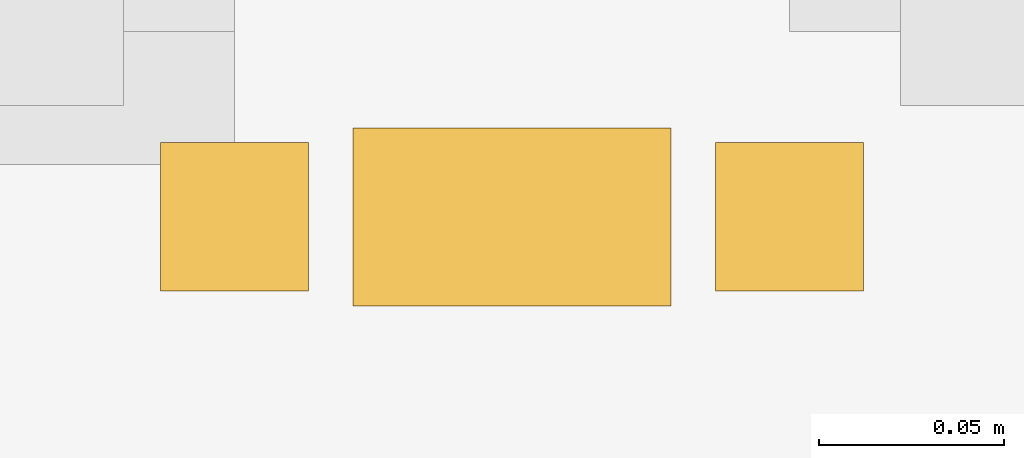
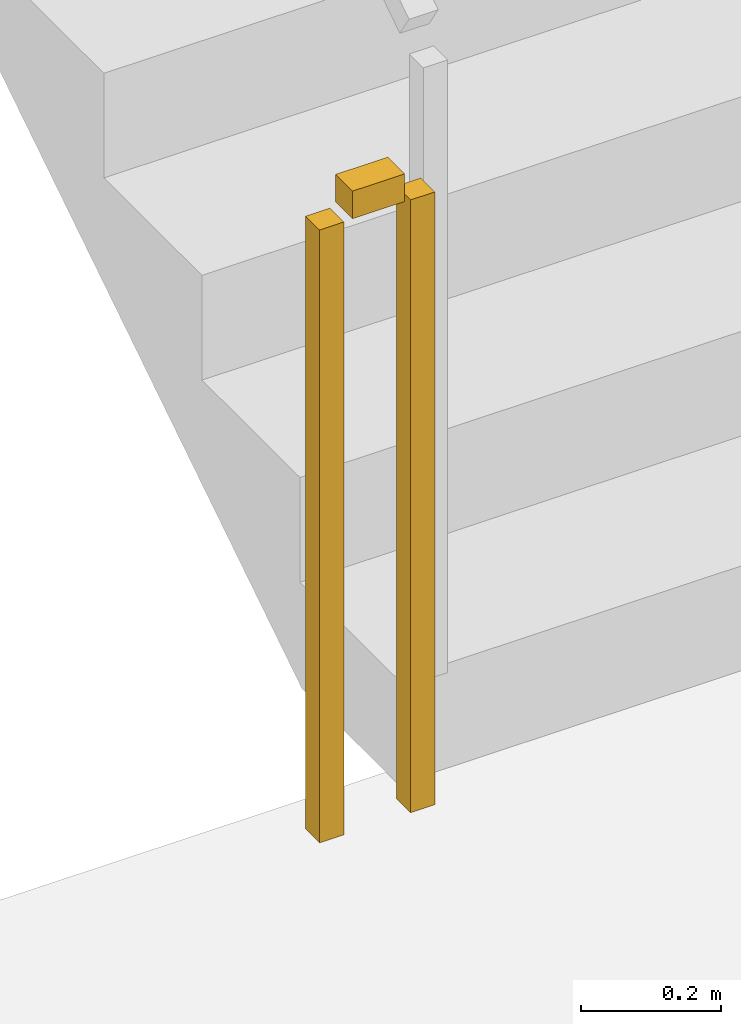
# One storey, part 15 of 18: 1 railing.
"""IFC4 building model written with IfcOpenShell, lengths in metres."""

from ifc_helpers import new_model, si_unit, direction, frame, origin, origin_2d, place, context, subcontext, project, spatial, rectangle, extrude, material, type_object, element, save


model = new_model("IFC4")

# Units and contexts
model_context = context("Model", 3, precision=1e-05, world=origin(), true_north=direction((0.0, 1.0)))
body_context = subcontext(model_context, "Body", "Model", "MODEL_VIEW")
ifc_project = project(units=[si_unit("LENGTHUNIT", "METRE"), si_unit("AREAUNIT", "SQUARE_METRE"), si_unit("VOLUMEUNIT", "CUBIC_METRE"), si_unit("PLANEANGLEUNIT", "RADIAN"), si_unit("MASSUNIT", "GRAM", prefix="KILO")], contexts=[model_context])

# Site, building, storey
site_placement = place(None, origin())
site = spatial("IfcSite", under=ifc_project, at=site_placement, CompositionType="ELEMENT")
building_placement = place(site_placement, origin())
building = spatial("IfcBuilding", under=site, at=building_placement, Name="Tharavind Bronze Gate", CompositionType="ELEMENT")
storey_placement = place(building_placement, frame((0.0, 0.0, 287.050048828125)))
storey = spatial("IfcBuildingStorey", under=building, at=storey_placement, Name="L74", CompositionType="ELEMENT", Elevation=287.050048828125)

# Railing
ifc_material = material(Name="Brushed Bronze Alloy", Category="metal")
railing_type = type_object("IfcRailingType", Name="STAIR WELL GUARD RAILING 1120", PredefinedType="GUARDRAIL", material=ifc_material)
railing_placement = place(storey_placement, frame((-6.85009765625, -2.300048828125, 0.0)))
element("IfcRailing", 1, at=railing_placement, inside=storey, type_object=railing_type, Name="L74 ST1 stair guard 4", PredefinedType="GUARDRAIL", context=body_context, shape_type="SweptSolid", body=[
    extrude(rectangle(XDim=0.048095703125, YDim=0.048095703125, at=origin_2d()), frame((-0.031982421875, 0.0, 1.09619140625), z_axis=(-1.0, 0.0, 0.0), x_axis=(0.0, -1.0, 0.0)), (0.0, 0.0, 1.0), 0.0859375),
    extrude(rectangle(XDim=0.0400390625, YDim=0.0400390625, at=origin_2d()), origin(), (0.0, 0.0, 1.0), 1.068115234375),
    extrude(rectangle(XDim=0.0400390625, YDim=0.0400390625, at=origin_2d()), frame((-0.14990234375, 0.0, 0.0)), (0.0, 0.0, 1.0), 1.068115234375),
])

save(model, "model.ifc")
